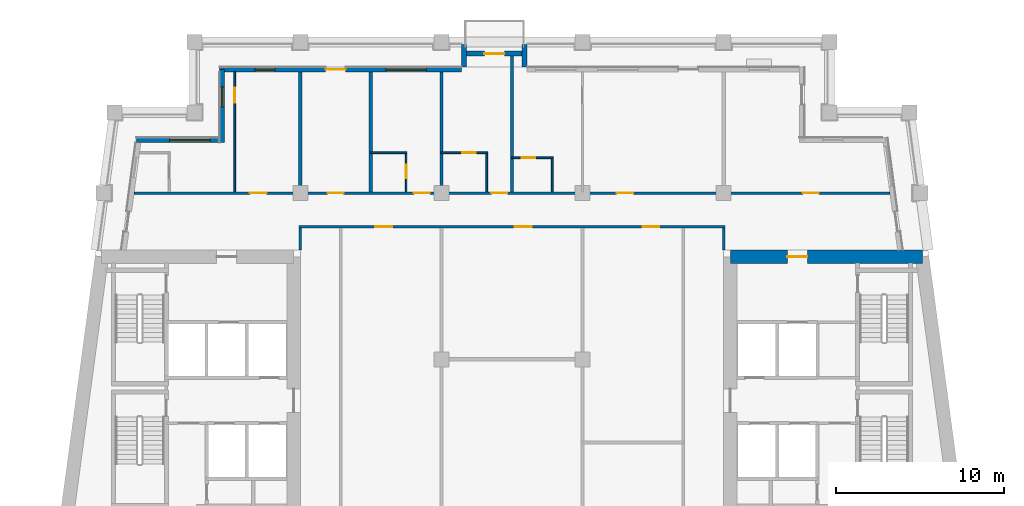
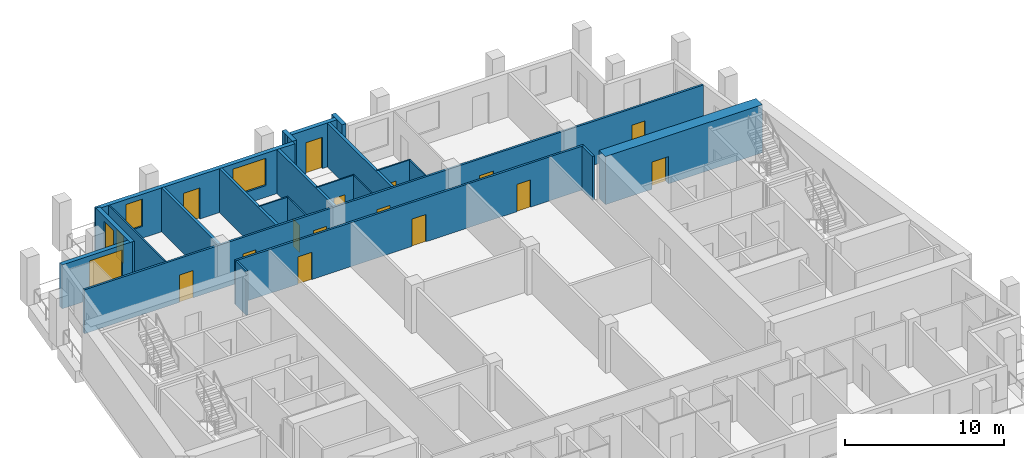
# One storey, part 6 of 12: 22 walls, 16 doors, 4 windows, 20 openings.
"""IFC4 building model written with IfcOpenShell, lengths in metres."""

from ifc_helpers import new_model, si_unit, direction, frame, frame_2d, origin, place, context, subcontext, project, spatial, rectangle, extrude, material, layer, layer_set, type_object, element, fill, save


model = new_model("IFC4")

# Units and contexts
model_context = context("Model", 3, precision=1e-05, world=origin(), true_north=direction((0.0, 1.0)))
body_context = subcontext(model_context, "Body", "Model", "MODEL_VIEW")
ifc_project = project(units=[si_unit("LENGTHUNIT", "METRE"), si_unit("AREAUNIT", "SQUARE_METRE"), si_unit("VOLUMEUNIT", "CUBIC_METRE"), si_unit("PLANEANGLEUNIT", "RADIAN"), si_unit("MASSUNIT", "GRAM", prefix="KILO")], contexts=[model_context])

# Site, building, storey
site_placement = place(None, origin())
site = spatial("IfcSite", under=ifc_project, at=site_placement, CompositionType="ELEMENT")
building_placement = place(site_placement, origin())
building = spatial("IfcBuilding", under=site, at=building_placement, Name="Candeia Pilgrim Tower and Theatre", CompositionType="ELEMENT")
storey_placement = place(building_placement, frame((0.0, 0.0, 209.60009765625)))
storey = spatial("IfcBuildingStorey", under=building, at=storey_placement, Name="L50", CompositionType="ELEMENT", Elevation=209.60009765625)

# Wall, opening, door
ifc_material_1 = material(Name="Concrete C50/60", Category="concrete")
ifc_layer_1 = layer(ifc_material_1, 0.800048828125)
ifc_layer_set_1 = layer_set([ifc_layer_1], Name="Core wall 800 C50/60")
wall_type_1 = type_object("IfcWallType", Name="Core wall 800 C50/60", PredefinedType="SHEAR", material=ifc_layer_set_1)
wall_1_placement = place(storey_placement, frame((126.39990234375, 132.0, 0.0), z_axis=(0.0, 0.0, 1.0), x_axis=(1.0, 0.0, 0.0)))
wall_1 = element("IfcWall", 1, at=wall_1_placement, inside=storey, type_object=wall_type_1, Name="Core wall E1", PredefinedType="SHEAR", context=body_context, shape_type="SweptSolid", body=[
    extrude(rectangle(XDim=11.419677734375, YDim=0.800048828125, at=frame_2d((5.7099609375, 0.0))), origin(), (0.0, 0.0, 1.0), 3.699951171875),
])
opening_1_placement = place(wall_1_placement, frame((3.386474609375, 0.0, 0.0)))
opening_1 = element("IfcOpeningElement", 2, at=opening_1_placement, cuts=wall_1, Name="Opening L50-D057", PredefinedType="OPENING", context=body_context, shape_type="SweptSolid", body=[
    extrude(rectangle(XDim=1.199951171875, YDim=2.10009765625, at=frame_2d((0.60009765625, 1.050048828125))), frame((0.0, 0.41015625, 0.0), z_axis=(0.0, -1.0, 0.0), x_axis=(1.0, 0.0, 0.0)), (0.0, 0.0, 1.0), 0.820068359375),
])
ifc_material_2 = material(Name="Steel fire door set", Category="steel")
door_type_1 = type_object("IfcDoorType", Name="D-1200-FD60", OperationType="NOTDEFINED", PredefinedType="DOOR", material=ifc_material_2)
door_1_placement = place(opening_1_placement, origin())
door_1 = element("IfcDoor", 3, at=door_1_placement, inside=storey, type_object=door_type_1, Name="Door L50-D057", OperationType="SINGLE_SWING_LEFT", OverallHeight=2.10009765625, OverallWidth=1.199951171875, PredefinedType="DOOR", context=body_context, shape_type="SweptSolid", body=[
    extrude(rectangle(XDim=1.199951171875, YDim=2.10009765625, at=frame_2d((0.60009765625, 1.050048828125))), frame((0.0, 0.02490234375, 0.0), z_axis=(0.0, -1.0, 0.0), x_axis=(1.0, 0.0, 0.0)), (0.0, 0.0, 1.0), 0.050048828125),
])
fill(opening_1, door_1)

# Wall, openings, door, windows
ifc_material_3 = material(Name="Ceramic block masonry", Category="masonry")
ifc_layer_2 = layer(ifc_material_3, 0.300048828125)
ifc_layer_set_2 = layer_set([ifc_layer_2], Name="EW1 glazing-line wall 300")
wall_type_2 = type_object("IfcWallType", Name="EW1 glazing-line wall 300", PredefinedType="SOLIDWALL", material=ifc_layer_set_2)
wall_2_placement = place(storey_placement, frame((110.39990234375, 143.14990234375, 0.0), z_axis=(0.0, 0.0, 1.0), x_axis=(-1.0, 0.0, 0.0)))
wall_2 = element("IfcWall", 4, at=wall_2_placement, inside=storey, type_object=wall_type_2, Name="External wall L50-6.1", PredefinedType="SOLIDWALL", context=body_context, shape_type="SweptSolid", body=[
    extrude(rectangle(XDim=14.39990234375, YDim=0.300048828125, at=frame_2d((7.199951171875, 0.0))), origin(), (0.0, 0.0, 1.0), 3.3798828125),
])
opening_2_placement = place(wall_2_placement, frame((2.10009765625, 0.0, 0.89990234375)))
opening_2 = element("IfcOpeningElement", 5, at=opening_2_placement, cuts=wall_2, Name="Opening W-A", PredefinedType="OPENING", context=body_context, shape_type="SweptSolid", body=[
    extrude(rectangle(XDim=2.39990234375, YDim=2.10009765625, at=frame_2d((1.199951171875, 1.050048828125))), frame((0.0, 0.16015625, 0.0), z_axis=(0.0, -1.0, 0.0), x_axis=(1.0, 0.0, 0.0)), (0.0, 0.0, 1.0), 0.320068359375),
])
opening_3_placement = place(wall_2_placement, frame((6.89990234375, 0.0, 0.0)))
opening_3 = element("IfcOpeningElement", 6, at=opening_3_placement, cuts=wall_2, Name="Opening L50-ED478", PredefinedType="OPENING", context=body_context, shape_type="SweptSolid", body=[
    extrude(rectangle(XDim=1.199951171875, YDim=2.39990234375, at=frame_2d((0.60009765625, 1.199951171875))), frame((0.0, 0.16015625, 0.0), z_axis=(0.0, -1.0, 0.0), x_axis=(1.0, 0.0, 0.0)), (0.0, 0.0, 1.0), 0.320068359375),
])
opening_4_placement = place(wall_2_placement, frame((11.10009765625, 0.0, 0.89990234375)))
opening_4 = element("IfcOpeningElement", 7, at=opening_4_placement, cuts=wall_2, Name="Opening W-B", PredefinedType="OPENING", context=body_context, shape_type="SweptSolid", body=[
    extrude(rectangle(XDim=1.199951171875, YDim=2.10009765625, at=frame_2d((0.60009765625, 1.050048828125))), frame((0.0, 0.16015625, 0.0), z_axis=(0.0, -1.0, 0.0), x_axis=(1.0, 0.0, 0.0)), (0.0, 0.0, 1.0), 0.320068359375),
])
ifc_material_4 = material(Name="Aluminium framed glazed door", Category="aluminium")
door_type_2 = type_object("IfcDoorType", Name="Loggia door 1200x2400", OperationType="DOUBLE_DOOR_SINGLE_SWING", PredefinedType="DOOR", material=ifc_material_4)
door_2_placement = place(opening_3_placement, origin())
door_2 = element("IfcDoor", 8, at=door_2_placement, inside=storey, type_object=door_type_2, Name="Loggia door L50-ED478", OperationType="DOUBLE_DOOR_SINGLE_SWING", OverallHeight=2.39990234375, OverallWidth=1.199951171875, PredefinedType="DOOR", context=body_context, shape_type="SweptSolid", body=[
    extrude(rectangle(XDim=1.199951171875, YDim=2.39990234375, at=frame_2d((0.60009765625, 1.199951171875))), frame((0.0, 0.02490234375, 0.0), z_axis=(0.0, -1.0, 0.0), x_axis=(1.0, 0.0, 0.0)), (0.0, 0.0, 1.0), 0.050048828125),
])
fill(opening_3, door_2)
ifc_material_5 = material(Name="Aluminium framed double glazing", Category="aluminium")
window_type_1 = type_object("IfcWindowType", Name="W-A window 2400x2100", PartitioningType="DOUBLE_PANEL_VERTICAL", PredefinedType="WINDOW", material=ifc_material_5)
window_1_placement = place(opening_2_placement, origin())
window_1 = element("IfcWindow", 9, at=window_1_placement, inside=storey, type_object=window_type_1, Name="Window W-A L50", OverallHeight=2.10009765625, OverallWidth=2.39990234375, PartitioningType="SINGLE_PANEL", PredefinedType="WINDOW", context=body_context, shape_type="SweptSolid", body=[
    extrude(rectangle(XDim=2.39990234375, YDim=2.10009765625, at=frame_2d((1.199951171875, 1.050048828125))), frame((0.0, 0.030029296875, 0.0), z_axis=(0.0, -1.0, 0.0), x_axis=(1.0, 0.0, 0.0)), (0.0, 0.0, 1.0), 0.06005859375),
])
fill(opening_2, window_1)
window_type_2 = type_object("IfcWindowType", Name="W-B window 1200x2100", PartitioningType="SINGLE_PANEL", PredefinedType="WINDOW", material=ifc_material_5)
window_2_placement = place(opening_4_placement, origin())
window_2 = element("IfcWindow", 10, at=window_2_placement, inside=storey, type_object=window_type_2, Name="Window W-B L50", OverallHeight=2.10009765625, OverallWidth=1.199951171875, PartitioningType="SINGLE_PANEL", PredefinedType="WINDOW", context=body_context, shape_type="SweptSolid", body=[
    extrude(rectangle(XDim=1.199951171875, YDim=2.10009765625, at=frame_2d((0.60009765625, 1.050048828125))), frame((0.0, 0.030029296875, 0.0), z_axis=(0.0, -1.0, 0.0), x_axis=(1.0, 0.0, 0.0)), (0.0, 0.0, 1.0), 0.06005859375),
])
fill(opening_4, window_2)

# Wall, opening, window
wall_3_placement = place(storey_placement, frame((96.14990234375, 143.14990234375, 0.0), z_axis=(0.0, 0.0, 1.0), x_axis=(0.0, -1.0, 0.0)))
wall_3 = element("IfcWall", 11, at=wall_3_placement, inside=storey, type_object=wall_type_2, Name="External wall L50-7.0", PredefinedType="SOLIDWALL", context=body_context, shape_type="SweptSolid", body=[
    extrude(rectangle(XDim=4.349853515625, YDim=0.300048828125, at=frame_2d((2.1748046875, 0.0))), origin(), (0.0, 0.0, 1.0), 3.3798828125),
])
opening_5_placement = place(wall_3_placement, frame((1.02490234375, 0.0, 0.89990234375)))
opening_5 = element("IfcOpeningElement", 12, at=opening_5_placement, cuts=wall_3, Name="Opening W-B", PredefinedType="OPENING", context=body_context, shape_type="SweptSolid", body=[
    extrude(rectangle(XDim=1.199951171875, YDim=2.10009765625, at=frame_2d((0.60009765625, 1.050048828125))), frame((0.0, 0.16015625, 0.0), z_axis=(0.0, -1.0, 0.0), x_axis=(1.0, 0.0, 0.0)), (0.0, 0.0, 1.0), 0.320068359375),
])
window_3_placement = place(opening_5_placement, origin())
window_3 = element("IfcWindow", 13, at=window_3_placement, inside=storey, type_object=window_type_2, Name="Window W-B L50", OverallHeight=2.10009765625, OverallWidth=1.199951171875, PartitioningType="SINGLE_PANEL", PredefinedType="WINDOW", context=body_context, shape_type="SweptSolid", body=[
    extrude(rectangle(XDim=1.199951171875, YDim=2.10009765625, at=frame_2d((0.60009765625, 1.050048828125))), frame((0.0, 0.030029296875, 0.0), z_axis=(0.0, -1.0, 0.0), x_axis=(1.0, 0.0, 0.0)), (0.0, 0.0, 1.0), 0.06005859375),
])
fill(opening_5, window_3)

wall_4_placement = place(storey_placement, frame((96.14990234375, 138.949951171875, 0.0), z_axis=(0.0, 0.0, 1.0), x_axis=(-1.0, 0.0, 0.0)))
wall_4 = element("IfcWall", 14, at=wall_4_placement, inside=storey, type_object=wall_type_2, Name="External wall L50-8.0", PredefinedType="SOLIDWALL", context=body_context, shape_type="SweptSolid", body=[
    extrude(rectangle(XDim=5.103759765625, YDim=0.300048828125, at=frame_2d((2.5517578125, 0.0))), origin(), (0.0, 0.0, 1.0), 3.3798828125),
])
opening_6_placement = place(wall_4_placement, frame((0.72509765625, 0.0, 0.89990234375)))
opening_6 = element("IfcOpeningElement", 15, at=opening_6_placement, cuts=wall_4, Name="Opening W-A", PredefinedType="OPENING", context=body_context, shape_type="SweptSolid", body=[
    extrude(rectangle(XDim=2.39990234375, YDim=2.10009765625, at=frame_2d((1.199951171875, 1.050048828125))), frame((0.0, 0.16015625, 0.0), z_axis=(0.0, -1.0, 0.0), x_axis=(1.0, 0.0, 0.0)), (0.0, 0.0, 1.0), 0.320068359375),
])
window_4_placement = place(opening_6_placement, origin())
window_4 = element("IfcWindow", 16, at=window_4_placement, inside=storey, type_object=window_type_1, Name="Window W-A L50", OverallHeight=2.10009765625, OverallWidth=2.39990234375, PartitioningType="SINGLE_PANEL", PredefinedType="WINDOW", context=body_context, shape_type="SweptSolid", body=[
    extrude(rectangle(XDim=2.39990234375, YDim=2.10009765625, at=frame_2d((1.199951171875, 1.050048828125))), frame((0.0, 0.030029296875, 0.0), z_axis=(0.0, -1.0, 0.0), x_axis=(1.0, 0.0, 0.0)), (0.0, 0.0, 1.0), 0.06005859375),
])
fill(opening_6, window_4)

# Walls
ifc_layer_3 = layer(ifc_material_3, 0.300048828125)
ifc_layer_set_3 = layer_set([ifc_layer_3], Name="EW2 entrance infill wall 300")
wall_type_3 = type_object("IfcWallType", Name="EW2 entrance infill wall 300", PredefinedType="SOLIDWALL", material=ifc_layer_set_3)
for number, where, z_axis, x_axis, name in (
    (17, (114.14990234375, 143.300048828125, 0.0), (0.0, 0.0, 1.0), (0.0, 1.0, 0.0), "Alcove wall L50"),
    (18, (110.550048828125, 143.300048828125, 0.0), (0.0, 0.0, 1.0), (0.0, 1.0, 0.0), "Alcove wall L50"),
):
    element("IfcWall", number, at=place(storey_placement, frame(where, z_axis=z_axis, x_axis=x_axis)), inside=storey, type_object=wall_type_3, Name=name, PredefinedType="SOLIDWALL", context=body_context, shape_type="SweptSolid", body=[
        extrude(rectangle(XDim=1.349853515625, YDim=0.300048828125, at=frame_2d((0.6748046875, 0.0))), origin(), (0.0, 0.0, 1.0), 3.3798828125),
    ])

# Wall, opening, door
wall_5_placement = place(storey_placement, frame((114.300048828125, 144.10009765625, 0.0), z_axis=(0.0, 0.0, 1.0), x_axis=(-1.0, 0.0, 0.0)))
wall_5 = element("IfcWall", 19, at=wall_5_placement, inside=storey, type_object=wall_type_3, Name="Alcove wall L50", PredefinedType="SOLIDWALL", context=body_context, shape_type="SweptSolid", body=[
    extrude(rectangle(XDim=3.900146484375, YDim=0.300048828125, at=frame_2d((1.9501953125, 0.0))), origin(), (0.0, 0.0, 1.0), 3.3798828125),
])
opening_7_placement = place(wall_5_placement, frame((1.35009765625, 0.0, 0.0)))
opening_7 = element("IfcOpeningElement", 20, at=opening_7_placement, cuts=wall_5, Name="Opening L50-ED479", PredefinedType="OPENING", context=body_context, shape_type="SweptSolid", body=[
    extrude(rectangle(XDim=1.199951171875, YDim=2.39990234375, at=frame_2d((0.60009765625, 1.199951171875))), frame((0.0, 0.16015625, 0.0), z_axis=(0.0, -1.0, 0.0), x_axis=(1.0, 0.0, 0.0)), (0.0, 0.0, 1.0), 0.320068359375),
])
door_3_placement = place(opening_7_placement, origin())
door_3 = element("IfcDoor", 21, at=door_3_placement, inside=storey, type_object=door_type_2, Name="Balcony door L50-ED479", OperationType="DOUBLE_DOOR_SINGLE_SWING", OverallHeight=2.39990234375, OverallWidth=1.199951171875, PredefinedType="DOOR", context=body_context, shape_type="SweptSolid", body=[
    extrude(rectangle(XDim=1.199951171875, YDim=2.39990234375, at=frame_2d((0.60009765625, 1.199951171875))), frame((0.0, 0.02490234375, 0.0), z_axis=(0.0, -1.0, 0.0), x_axis=(1.0, 0.0, 0.0)), (0.0, 0.0, 1.0), 0.050048828125),
])
fill(opening_7, door_3)

ifc_material_6 = material(Name="Gypsum board partition on steel studs", Category="steel")
ifc_layer_4 = layer(ifc_material_6, 0.10009765625)
ifc_layer_set_4 = layer_set([ifc_layer_4], Name="PW-100 room partition")
wall_type_4 = type_object("IfcWallType", Name="PW-100 room partition", PredefinedType="PARTITIONING", material=ifc_layer_set_4)
wall_6_placement = place(storey_placement, frame((113.39990234375, 137.89990234375, 0.0), z_axis=(0.0, 0.0, 1.0), x_axis=(1.0, 0.0, 0.0)))
wall_6 = element("IfcWall", 22, at=wall_6_placement, inside=storey, type_object=wall_type_4, Name="Room partition L50-045", PredefinedType="PARTITIONING", context=body_context, shape_type="SweptSolid", body=[
    extrude(rectangle(XDim=2.4501953125, YDim=0.10009765625, at=frame_2d((1.22509765625, 0.0))), origin(), (0.0, 0.0, 1.0), 3.3798828125),
])
opening_8_placement = place(wall_6_placement, frame((0.574951171875, 0.0, 0.0)))
opening_8 = element("IfcOpeningElement", 23, at=opening_8_placement, cuts=wall_6, Name="Opening L50-D044", PredefinedType="OPENING", context=body_context, shape_type="SweptSolid", body=[
    extrude(rectangle(XDim=0.800048828125, YDim=2.10009765625, at=frame_2d((0.39990234375, 1.050048828125))), frame((0.0, 0.06005859375, 0.0), z_axis=(0.0, -1.0, 0.0), x_axis=(1.0, 0.0, 0.0)), (0.0, 0.0, 1.0), 0.1201171875),
])
ifc_material_7 = material(Name="Timber door leaf", Category="wood")
door_type_3 = type_object("IfcDoorType", Name="D-800", OperationType="NOTDEFINED", PredefinedType="DOOR", material=ifc_material_7)
door_4_placement = place(opening_8_placement, origin())
door_4 = element("IfcDoor", 24, at=door_4_placement, inside=storey, type_object=door_type_3, Name="Door L50-D044", OperationType="SINGLE_SWING_RIGHT", OverallHeight=2.10009765625, OverallWidth=0.800048828125, PredefinedType="DOOR", context=body_context, shape_type="SweptSolid", body=[
    extrude(rectangle(XDim=0.800048828125, YDim=2.10009765625, at=frame_2d((0.39990234375, 1.050048828125))), frame((0.0, 0.02490234375, 0.0), z_axis=(0.0, -1.0, 0.0), x_axis=(1.0, 0.0, 0.0)), (0.0, 0.0, 1.0), 0.050048828125),
])
fill(opening_8, door_4)

# Wall
wall_7_placement = place(storey_placement, frame((105.0, 138.199951171875, 0.0), z_axis=(0.0, 0.0, 1.0), x_axis=(1.0, 0.0, 0.0)))
element("IfcWall", 25, at=wall_7_placement, inside=storey, type_object=wall_type_4, Name="Room partition L50-047", PredefinedType="PARTITIONING", context=body_context, shape_type="SweptSolid", body=[
    extrude(rectangle(XDim=2.14990234375, YDim=0.10009765625, at=frame_2d((1.074951171875, 0.0))), origin(), (0.0, 0.0, 1.0), 3.3798828125),
])

# Wall, opening, door
wall_8_placement = place(storey_placement, frame((109.199951171875, 138.199951171875, 0.0), z_axis=(0.0, 0.0, 1.0), x_axis=(1.0, 0.0, 0.0)))
wall_8 = element("IfcWall", 26, at=wall_8_placement, inside=storey, type_object=wall_type_4, Name="Room partition L50-048", PredefinedType="PARTITIONING", context=body_context, shape_type="SweptSolid", body=[
    extrude(rectangle(XDim=2.75, YDim=0.10009765625, at=frame_2d((1.375, 0.0))), origin(), (0.0, 0.0, 1.0), 3.3798828125),
])
opening_9_placement = place(wall_8_placement, frame((1.25, 0.0, 0.0)))
opening_9 = element("IfcOpeningElement", 27, at=opening_9_placement, cuts=wall_8, Name="Opening L50-D041", PredefinedType="OPENING", context=body_context, shape_type="SweptSolid", body=[
    extrude(rectangle(XDim=0.800048828125, YDim=2.10009765625, at=frame_2d((0.39990234375, 1.050048828125))), frame((0.0, 0.06005859375, 0.0), z_axis=(0.0, -1.0, 0.0), x_axis=(1.0, 0.0, 0.0)), (0.0, 0.0, 1.0), 0.1201171875),
])
door_5_placement = place(opening_9_placement, origin())
door_5 = element("IfcDoor", 28, at=door_5_placement, inside=storey, type_object=door_type_3, Name="Door L50-D041", OperationType="SINGLE_SWING_LEFT", OverallHeight=2.10009765625, OverallWidth=0.800048828125, PredefinedType="DOOR", context=body_context, shape_type="SweptSolid", body=[
    extrude(rectangle(XDim=0.800048828125, YDim=2.10009765625, at=frame_2d((0.39990234375, 1.050048828125))), frame((0.0, 0.02490234375, 0.0), z_axis=(0.0, -1.0, 0.0), x_axis=(1.0, 0.0, 0.0)), (0.0, 0.0, 1.0), 0.050048828125),
])
fill(opening_9, door_5)

wall_9_placement = place(storey_placement, frame((96.89990234375, 135.875, 0.0), z_axis=(0.0, 0.0, 1.0), x_axis=(0.0, 1.0, 0.0)))
wall_9 = element("IfcWall", 29, at=wall_9_placement, inside=storey, type_object=wall_type_4, Name="Room partition L50-067", PredefinedType="PARTITIONING", context=body_context, shape_type="SweptSolid", body=[
    extrude(rectangle(XDim=7.135009765625, YDim=0.10009765625, at=frame_2d((3.5673828125, 0.0))), origin(), (0.0, 0.0, 1.0), 3.3798828125),
])
opening_10_placement = place(wall_9_placement, frame((5.2900390625, 0.0, 0.0)))
opening_10 = element("IfcOpeningElement", 30, at=opening_10_placement, cuts=wall_9, Name="Opening L50-D035", PredefinedType="OPENING", context=body_context, shape_type="SweptSolid", body=[
    extrude(rectangle(XDim=0.89990234375, YDim=2.10009765625, at=frame_2d((0.449951171875, 1.050048828125))), frame((0.0, 0.06005859375, 0.0), z_axis=(0.0, -1.0, 0.0), x_axis=(1.0, 0.0, 0.0)), (0.0, 0.0, 1.0), 0.1201171875),
])
door_type_4 = type_object("IfcDoorType", Name="D-900", OperationType="NOTDEFINED", PredefinedType="DOOR", material=ifc_material_7)
door_6_placement = place(opening_10_placement, origin())
door_6 = element("IfcDoor", 31, at=door_6_placement, inside=storey, type_object=door_type_4, Name="Door L50-D035", OperationType="SINGLE_SWING_LEFT", OverallHeight=2.10009765625, OverallWidth=0.89990234375, PredefinedType="DOOR", context=body_context, shape_type="SweptSolid", body=[
    extrude(rectangle(XDim=0.89990234375, YDim=2.10009765625, at=frame_2d((0.449951171875, 1.050048828125))), frame((0.0, 0.02490234375, 0.0), z_axis=(0.0, -1.0, 0.0), x_axis=(1.0, 0.0, 0.0)), (0.0, 0.0, 1.0), 0.050048828125),
])
fill(opening_10, door_6)

wall_10_placement = place(storey_placement, frame((107.10009765625, 135.875, 0.0), z_axis=(0.0, 0.0, 1.0), x_axis=(0.0, 1.0, 0.0)))
wall_10 = element("IfcWall", 32, at=wall_10_placement, inside=storey, type_object=wall_type_4, Name="Room partition L50-080", PredefinedType="PARTITIONING", context=body_context, shape_type="SweptSolid", body=[
    extrude(rectangle(XDim=2.27490234375, YDim=0.10009765625, at=frame_2d((1.137451171875, 0.0))), origin(), (0.0, 0.0, 1.0), 3.3798828125),
])
opening_11_placement = place(wall_10_placement, frame((0.81494140625, 0.0, 0.0)))
opening_11 = element("IfcOpeningElement", 33, at=opening_11_placement, cuts=wall_10, Name="Opening L50-D039", PredefinedType="OPENING", context=body_context, shape_type="SweptSolid", body=[
    extrude(rectangle(XDim=0.800048828125, YDim=2.10009765625, at=frame_2d((0.39990234375, 1.050048828125))), frame((0.0, 0.06005859375, 0.0), z_axis=(0.0, -1.0, 0.0), x_axis=(1.0, 0.0, 0.0)), (0.0, 0.0, 1.0), 0.1201171875),
])
door_7_placement = place(opening_11_placement, origin())
door_7 = element("IfcDoor", 34, at=door_7_placement, inside=storey, type_object=door_type_3, Name="Door L50-D039", OperationType="SINGLE_SWING_LEFT", OverallHeight=2.10009765625, OverallWidth=0.800048828125, PredefinedType="DOOR", context=body_context, shape_type="SweptSolid", body=[
    extrude(rectangle(XDim=0.800048828125, YDim=2.10009765625, at=frame_2d((0.39990234375, 1.050048828125))), frame((0.0, 0.02490234375, 0.0), z_axis=(0.0, -1.0, 0.0), x_axis=(1.0, 0.0, 0.0)), (0.0, 0.0, 1.0), 0.050048828125),
])
fill(opening_11, door_7)

# Walls
wall_11_placement = place(storey_placement, frame((111.89990234375, 135.875, 0.0), z_axis=(0.0, 0.0, 1.0), x_axis=(0.0, 1.0, 0.0)))
element("IfcWall", 35, at=wall_11_placement, inside=storey, type_object=wall_type_4, Name="Room partition L50-085", PredefinedType="PARTITIONING", context=body_context, shape_type="SweptSolid", body=[
    extrude(rectangle(XDim=2.27490234375, YDim=0.10009765625, at=frame_2d((1.137451171875, 0.0))), origin(), (0.0, 0.0, 1.0), 3.3798828125),
])
wall_12_placement = place(storey_placement, frame((115.800048828125, 135.875, 0.0), z_axis=(0.0, 0.0, 1.0), x_axis=(0.0, 1.0, 0.0)))
element("IfcWall", 36, at=wall_12_placement, inside=storey, type_object=wall_type_4, Name="Room partition L50-089", PredefinedType="PARTITIONING", context=body_context, shape_type="SweptSolid", body=[
    extrude(rectangle(XDim=1.97509765625, YDim=0.10009765625, at=frame_2d((0.987548828125, 0.0))), origin(), (0.0, 0.0, 1.0), 3.3798828125),
])

# Wall, openings, doors
ifc_layer_5 = layer(ifc_material_6, 0.14990234375)
ifc_layer_set_5 = layer_set([ifc_layer_5], Name="PW-150 unit wall")
wall_type_5 = type_object("IfcWallType", Name="PW-150 unit wall", PredefinedType="PARTITIONING", material=ifc_layer_set_5)
wall_13_placement = place(storey_placement, frame((100.72509765625, 133.800048828125, 0.0), z_axis=(0.0, 0.0, 1.0), x_axis=(1.0, 0.0, 0.0)))
wall_13 = element("IfcWall", 37, at=wall_13_placement, inside=storey, type_object=wall_type_5, Name="Unit wall L50-043", PredefinedType="PARTITIONING", context=body_context, shape_type="SweptSolid", body=[
    extrude(rectangle(XDim=25.349853515625, YDim=0.14990234375, at=frame_2d((12.6748046875, 0.0))), origin(), (0.0, 0.0, 1.0), 3.3798828125),
])
opening_12_placement = place(wall_13_placement, frame((4.544921875, 0.0, 0.0)))
opening_12 = element("IfcOpeningElement", 38, at=opening_12_placement, cuts=wall_13, Name="Opening L50-D048", PredefinedType="OPENING", context=body_context, shape_type="SweptSolid", body=[
    extrude(rectangle(XDim=1.0, YDim=2.10009765625, at=frame_2d((0.5, 1.050048828125))), frame((0.0, 0.0849609375, 0.0), z_axis=(0.0, -1.0, 0.0), x_axis=(1.0, 0.0, 0.0)), (0.0, 0.0, 1.0), 0.169921875),
])
opening_13_placement = place(wall_13_placement, frame((12.844970703125, 0.0, 0.0)))
opening_13 = element("IfcOpeningElement", 39, at=opening_13_placement, cuts=wall_13, Name="Opening L50-D050", PredefinedType="OPENING", context=body_context, shape_type="SweptSolid", body=[
    extrude(rectangle(XDim=1.0, YDim=2.10009765625, at=frame_2d((0.5, 1.050048828125))), frame((0.0, 0.0849609375, 0.0), z_axis=(0.0, -1.0, 0.0), x_axis=(1.0, 0.0, 0.0)), (0.0, 0.0, 1.0), 0.169921875),
])
opening_14_placement = place(wall_13_placement, frame((20.449951171875, 0.0, 0.0)))
opening_14 = element("IfcOpeningElement", 40, at=opening_14_placement, cuts=wall_13, Name="Opening L50-D052", PredefinedType="OPENING", context=body_context, shape_type="SweptSolid", body=[
    extrude(rectangle(XDim=1.0, YDim=2.10009765625, at=frame_2d((0.5, 1.050048828125))), frame((0.0, 0.0849609375, 0.0), z_axis=(0.0, -1.0, 0.0), x_axis=(1.0, 0.0, 0.0)), (0.0, 0.0, 1.0), 0.169921875),
])
door_type_5 = type_object("IfcDoorType", Name="D-1000-FD30S", OperationType="NOTDEFINED", PredefinedType="DOOR", material=ifc_material_2)
door_8_placement = place(opening_12_placement, origin())
door_8 = element("IfcDoor", 41, at=door_8_placement, inside=storey, type_object=door_type_5, Name="Door L50-D048", OperationType="SINGLE_SWING_RIGHT", OverallHeight=2.10009765625, OverallWidth=1.0, PredefinedType="DOOR", context=body_context, shape_type="SweptSolid", body=[
    extrude(rectangle(XDim=1.0, YDim=2.10009765625, at=frame_2d((0.5, 1.050048828125))), frame((0.0, 0.02490234375, 0.0), z_axis=(0.0, -1.0, 0.0), x_axis=(1.0, 0.0, 0.0)), (0.0, 0.0, 1.0), 0.050048828125),
])
fill(opening_12, door_8)
door_9_placement = place(opening_13_placement, origin())
door_9 = element("IfcDoor", 42, at=door_9_placement, inside=storey, type_object=door_type_5, Name="Door L50-D050", OperationType="SINGLE_SWING_RIGHT", OverallHeight=2.10009765625, OverallWidth=1.0, PredefinedType="DOOR", context=body_context, shape_type="SweptSolid", body=[
    extrude(rectangle(XDim=1.0, YDim=2.10009765625, at=frame_2d((0.5, 1.050048828125))), frame((0.0, 0.02490234375, 0.0), z_axis=(0.0, -1.0, 0.0), x_axis=(1.0, 0.0, 0.0)), (0.0, 0.0, 1.0), 0.050048828125),
])
fill(opening_13, door_9)
door_10_placement = place(opening_14_placement, origin())
door_10 = element("IfcDoor", 43, at=door_10_placement, inside=storey, type_object=door_type_5, Name="Door L50-D052", OperationType="SINGLE_SWING_RIGHT", OverallHeight=2.10009765625, OverallWidth=1.0, PredefinedType="DOOR", context=body_context, shape_type="SweptSolid", body=[
    extrude(rectangle(XDim=1.0, YDim=2.10009765625, at=frame_2d((0.5, 1.050048828125))), frame((0.0, 0.02490234375, 0.0), z_axis=(0.0, -1.0, 0.0), x_axis=(1.0, 0.0, 0.0)), (0.0, 0.0, 1.0), 0.050048828125),
])
fill(opening_14, door_10)

wall_14_placement = place(storey_placement, frame((90.89453125, 135.800048828125, 0.0), z_axis=(0.0, 0.0, 1.0), x_axis=(1.0, 0.0, 0.0)))
wall_14 = element("IfcWall", 44, at=wall_14_placement, inside=storey, type_object=wall_type_5, Name="Unit wall L50-044", PredefinedType="PARTITIONING", context=body_context, shape_type="SweptSolid", body=[
    extrude(rectangle(XDim=45.010986328125, YDim=0.14990234375, at=frame_2d((22.50537109375, 0.0))), origin(), (0.0, 0.0, 1.0), 3.3798828125),
])
opening_15_placement = place(wall_14_placement, frame((6.905517578125, 0.0, 0.0)))
opening_15 = element("IfcOpeningElement", 45, at=opening_15_placement, cuts=wall_14, Name="Opening L50-D034", PredefinedType="OPENING", context=body_context, shape_type="SweptSolid", body=[
    extrude(rectangle(XDim=1.0, YDim=2.10009765625, at=frame_2d((0.5, 1.050048828125))), frame((0.0, 0.0849609375, 0.0), z_axis=(0.0, -1.0, 0.0), x_axis=(1.0, 0.0, 0.0)), (0.0, 0.0, 1.0), 0.169921875),
])
opening_16_placement = place(wall_14_placement, frame((11.530517578125, 0.0, 0.0)))
opening_16 = element("IfcOpeningElement", 46, at=opening_16_placement, cuts=wall_14, Name="Opening L50-D037", PredefinedType="OPENING", context=body_context, shape_type="SweptSolid", body=[
    extrude(rectangle(XDim=0.949951171875, YDim=2.10009765625, at=frame_2d((0.47509765625, 1.050048828125))), frame((0.0, 0.0849609375, 0.0), z_axis=(0.0, -1.0, 0.0), x_axis=(1.0, 0.0, 0.0)), (0.0, 0.0, 1.0), 0.169921875),
])
opening_17_placement = place(wall_14_placement, frame((16.66748046875, 0.0, 0.0)))
opening_17 = element("IfcOpeningElement", 47, at=opening_17_placement, cuts=wall_14, Name="Opening L50-D038", PredefinedType="OPENING", context=body_context, shape_type="SweptSolid", body=[
    extrude(rectangle(XDim=0.949951171875, YDim=2.10009765625, at=frame_2d((0.47509765625, 1.050048828125))), frame((0.0, 0.0849609375, 0.0), z_axis=(0.0, -1.0, 0.0), x_axis=(1.0, 0.0, 0.0)), (0.0, 0.0, 1.0), 0.169921875),
])
opening_18_placement = place(wall_14_placement, frame((21.280517578125, 0.0, 0.0)))
opening_18 = element("IfcOpeningElement", 48, at=opening_18_placement, cuts=wall_14, Name="Opening L50-D040", PredefinedType="OPENING", context=body_context, shape_type="SweptSolid", body=[
    extrude(rectangle(XDim=0.949951171875, YDim=2.10009765625, at=frame_2d((0.47509765625, 1.050048828125))), frame((0.0, 0.0849609375, 0.0), z_axis=(0.0, -1.0, 0.0), x_axis=(1.0, 0.0, 0.0)), (0.0, 0.0, 1.0), 0.169921875),
])
opening_19_placement = place(wall_14_placement, frame((28.73046875, 0.0, 0.0)))
opening_19 = element("IfcOpeningElement", 49, at=opening_19_placement, cuts=wall_14, Name="Opening L50-D042", PredefinedType="OPENING", context=body_context, shape_type="SweptSolid", body=[
    extrude(rectangle(XDim=1.0, YDim=2.10009765625, at=frame_2d((0.5, 1.050048828125))), frame((0.0, 0.0849609375, 0.0), z_axis=(0.0, -1.0, 0.0), x_axis=(1.0, 0.0, 0.0)), (0.0, 0.0, 1.0), 0.169921875),
])
opening_20_placement = place(wall_14_placement, frame((39.814453125, 0.0, 0.0)))
opening_20 = element("IfcOpeningElement", 50, at=opening_20_placement, cuts=wall_14, Name="Opening L50-D045", PredefinedType="OPENING", context=body_context, shape_type="SweptSolid", body=[
    extrude(rectangle(XDim=0.949951171875, YDim=2.10009765625, at=frame_2d((0.47509765625, 1.050048828125))), frame((0.0, 0.0849609375, 0.0), z_axis=(0.0, -1.0, 0.0), x_axis=(1.0, 0.0, 0.0)), (0.0, 0.0, 1.0), 0.169921875),
])
door_11_placement = place(opening_15_placement, origin())
door_11 = element("IfcDoor", 51, at=door_11_placement, inside=storey, type_object=door_type_5, Name="Door L50-D034", OperationType="SINGLE_SWING_RIGHT", OverallHeight=2.10009765625, OverallWidth=1.0, PredefinedType="DOOR", context=body_context, shape_type="SweptSolid", body=[
    extrude(rectangle(XDim=1.0, YDim=2.10009765625, at=frame_2d((0.5, 1.050048828125))), frame((0.0, 0.02490234375, 0.0), z_axis=(0.0, -1.0, 0.0), x_axis=(1.0, 0.0, 0.0)), (0.0, 0.0, 1.0), 0.050048828125),
])
fill(opening_15, door_11)
door_12_placement = place(opening_19_placement, origin())
door_12 = element("IfcDoor", 52, at=door_12_placement, inside=storey, type_object=door_type_5, Name="Door L50-D042", OperationType="SINGLE_SWING_RIGHT", OverallHeight=2.10009765625, OverallWidth=1.0, PredefinedType="DOOR", context=body_context, shape_type="SweptSolid", body=[
    extrude(rectangle(XDim=1.0, YDim=2.10009765625, at=frame_2d((0.5, 1.050048828125))), frame((0.0, 0.02490234375, 0.0), z_axis=(0.0, -1.0, 0.0), x_axis=(1.0, 0.0, 0.0)), (0.0, 0.0, 1.0), 0.050048828125),
])
fill(opening_19, door_12)
door_type_6 = type_object("IfcDoorType", Name="D-950-FD30S", OperationType="NOTDEFINED", PredefinedType="DOOR", material=ifc_material_2)
door_13_placement = place(opening_16_placement, origin())
door_13 = element("IfcDoor", 53, at=door_13_placement, inside=storey, type_object=door_type_6, Name="Door L50-D037", OperationType="SINGLE_SWING_LEFT", OverallHeight=2.10009765625, OverallWidth=0.949951171875, PredefinedType="DOOR", context=body_context, shape_type="SweptSolid", body=[
    extrude(rectangle(XDim=0.949951171875, YDim=2.10009765625, at=frame_2d((0.47509765625, 1.050048828125))), frame((0.0, 0.02490234375, 0.0), z_axis=(0.0, -1.0, 0.0), x_axis=(1.0, 0.0, 0.0)), (0.0, 0.0, 1.0), 0.050048828125),
])
fill(opening_16, door_13)
door_14_placement = place(opening_17_placement, origin())
door_14 = element("IfcDoor", 54, at=door_14_placement, inside=storey, type_object=door_type_6, Name="Door L50-D038", OperationType="SINGLE_SWING_RIGHT", OverallHeight=2.10009765625, OverallWidth=0.949951171875, PredefinedType="DOOR", context=body_context, shape_type="SweptSolid", body=[
    extrude(rectangle(XDim=0.949951171875, YDim=2.10009765625, at=frame_2d((0.47509765625, 1.050048828125))), frame((0.0, 0.02490234375, 0.0), z_axis=(0.0, -1.0, 0.0), x_axis=(1.0, 0.0, 0.0)), (0.0, 0.0, 1.0), 0.050048828125),
])
fill(opening_17, door_14)
door_15_placement = place(opening_18_placement, origin())
door_15 = element("IfcDoor", 55, at=door_15_placement, inside=storey, type_object=door_type_6, Name="Door L50-D040", OperationType="SINGLE_SWING_RIGHT", OverallHeight=2.10009765625, OverallWidth=0.949951171875, PredefinedType="DOOR", context=body_context, shape_type="SweptSolid", body=[
    extrude(rectangle(XDim=0.949951171875, YDim=2.10009765625, at=frame_2d((0.47509765625, 1.050048828125))), frame((0.0, 0.02490234375, 0.0), z_axis=(0.0, -1.0, 0.0), x_axis=(1.0, 0.0, 0.0)), (0.0, 0.0, 1.0), 0.050048828125),
])
fill(opening_18, door_15)
door_16_placement = place(opening_20_placement, origin())
door_16 = element("IfcDoor", 56, at=door_16_placement, inside=storey, type_object=door_type_6, Name="Door L50-D045", OperationType="SINGLE_SWING_LEFT", OverallHeight=2.10009765625, OverallWidth=0.949951171875, PredefinedType="DOOR", context=body_context, shape_type="SweptSolid", body=[
    extrude(rectangle(XDim=0.949951171875, YDim=2.10009765625, at=frame_2d((0.47509765625, 1.050048828125))), frame((0.0, 0.02490234375, 0.0), z_axis=(0.0, -1.0, 0.0), x_axis=(1.0, 0.0, 0.0)), (0.0, 0.0, 1.0), 0.050048828125),
])
fill(opening_20, door_16)

# Walls
for number, where, z_axis, x_axis, name in (
    (57, (100.800048828125, 132.39990234375, 0.0), (0.0, 0.0, 1.0), (0.0, 1.0, 0.0), "Unit wall L50-074"),
    (58, (126.0, 132.39990234375, 0.0), (0.0, 0.0, 1.0), (0.0, 1.0, 0.0), "Unit wall L50-100"),
):
    element("IfcWall", number, at=place(storey_placement, frame(where, z_axis=z_axis, x_axis=x_axis)), inside=storey, type_object=wall_type_5, Name=name, PredefinedType="PARTITIONING", context=body_context, shape_type="SweptSolid", body=[
        extrude(rectangle(XDim=1.3251953125, YDim=0.14990234375, at=frame_2d((0.66259765625, 0.0))), origin(), (0.0, 0.0, 1.0), 3.3798828125),
    ])
ifc_layer_6 = layer(ifc_material_6, 0.199951171875)
ifc_layer_set_6 = layer_set([ifc_layer_6], Name="PW-200 party wall")
wall_type_6 = type_object("IfcWallType", Name="PW-200 party wall", PredefinedType="PARTITIONING", material=ifc_layer_set_6)
for number, where, z_axis, x_axis, name in (
    (59, (100.800048828125, 135.875, 0.0), (0.0, 0.0, 1.0), (0.0, 1.0, 0.0), "Party wall L50-072"),
    (60, (105.0, 135.875, 0.0), (0.0, 0.0, 1.0), (0.0, 1.0, 0.0), "Party wall L50-077"),
    (61, (109.199951171875, 135.875, 0.0), (0.0, 0.0, 1.0), (0.0, 1.0, 0.0), "Party wall L50-083"),
):
    element("IfcWall", number, at=place(storey_placement, frame(where, z_axis=z_axis, x_axis=x_axis)), inside=storey, type_object=wall_type_6, Name=name, PredefinedType="PARTITIONING", context=body_context, shape_type="SweptSolid", body=[
        extrude(rectangle(XDim=7.135009765625, YDim=0.199951171875, at=frame_2d((3.5673828125, 0.0))), origin(), (0.0, 0.0, 1.0), 3.3798828125),
    ])
wall_15_placement = place(storey_placement, frame((113.39990234375, 135.875, 0.0), z_axis=(0.0, 0.0, 1.0), x_axis=(0.0, 1.0, 0.0)))
element("IfcWall", 62, at=wall_15_placement, inside=storey, type_object=wall_type_6, Name="Party wall L50-087", PredefinedType="PARTITIONING", context=body_context, shape_type="SweptSolid", body=[
    extrude(rectangle(XDim=8.0849609375, YDim=0.199951171875, at=frame_2d((4.04248046875, 0.0))), origin(), (0.0, 0.0, 1.0), 3.3798828125),
])

save(model, "model.ifc")
